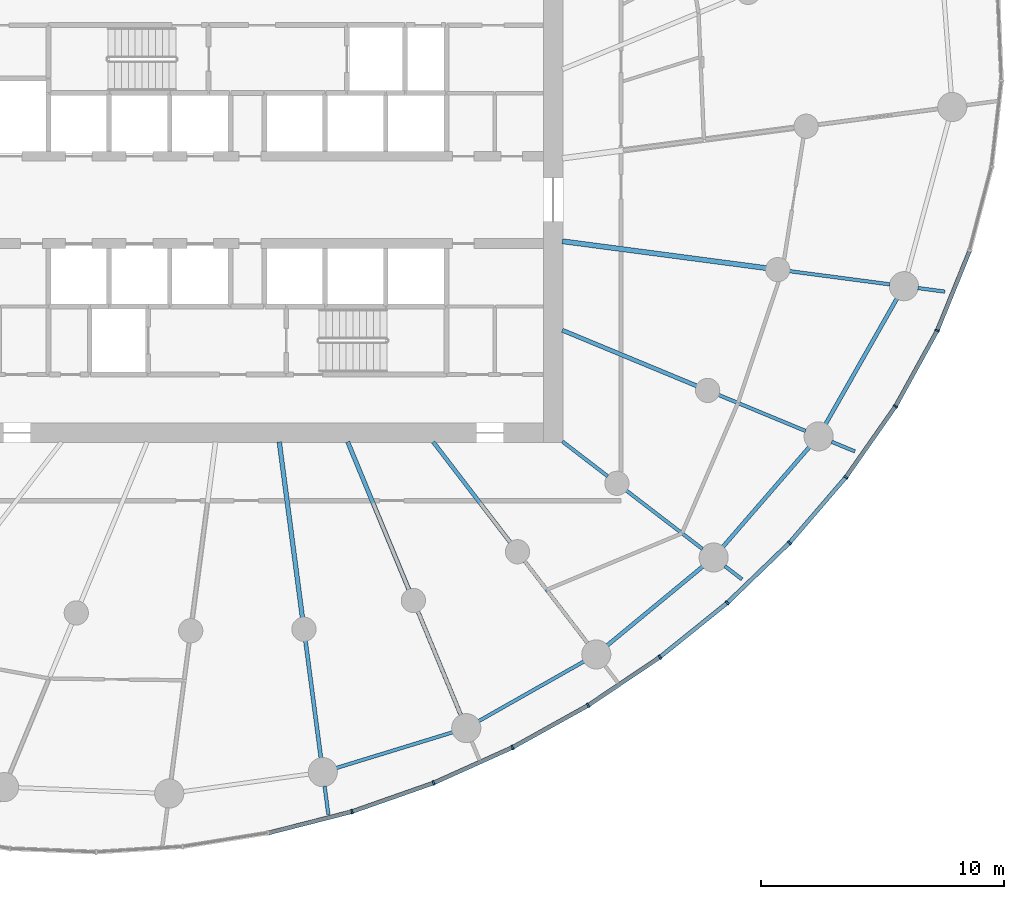
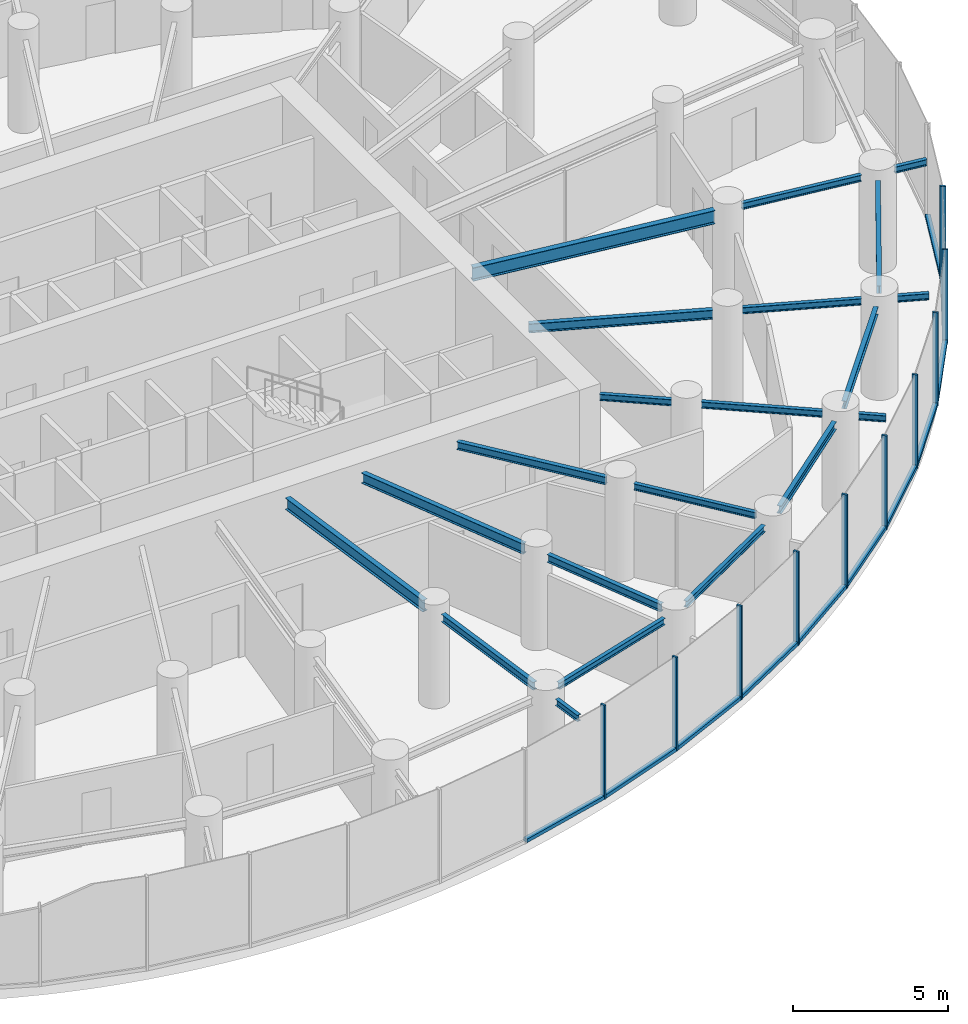
# One storey, part 4 of 17: 21 beams, 21 members, 3 elements without a shape of their own.
"""IFC4 building model written with IfcOpenShell, lengths in metres."""

from ifc_helpers import new_model, si_unit, direction, frame, origin, origin_2d, place, context, subcontext, project, spatial, rectangle, i_section, extrude, source, transform, mapped, material, layer, layer_set, material_profile, profile_set, type_object, element, aggregate, save


model = new_model("IFC4")

# Units and contexts
model_context = context("Model", 3, precision=1e-05, world=origin(), true_north=direction((0.0, 1.0)))
body_context = subcontext(model_context, "Body", "Model", "MODEL_VIEW")
ifc_project = project(units=[si_unit("LENGTHUNIT", "METRE"), si_unit("AREAUNIT", "SQUARE_METRE"), si_unit("VOLUMEUNIT", "CUBIC_METRE"), si_unit("PLANEANGLEUNIT", "RADIAN"), si_unit("MASSUNIT", "GRAM", prefix="KILO")], contexts=[model_context])

# Site, building, storey
site_placement = place(None, origin())
site = spatial("IfcSite", under=ifc_project, at=site_placement, CompositionType="ELEMENT")
building_placement = place(site_placement, origin())
building = spatial("IfcBuilding", under=site, at=building_placement, Name="Spindrift Exchange Tower", CompositionType="ELEMENT")
storey_placement = place(building_placement, frame((0.0, 0.0, 112.60009765625)))
storey = spatial("IfcBuildingStorey", under=building, at=storey_placement, Name="L26", CompositionType="ELEMENT", Elevation=112.60009765625)

# Beams
ifc_material_1 = material(Name="Steel Grade 300", Category="steel")
ifc_material_profile_1 = material_profile(ifc_material_1, i_section(OverallWidth=0.18994140625, OverallDepth=0.45703125, WebThickness=0.009033203125, FlangeThickness=0.014404296875, FilletRadius=0.013916015625, at=origin_2d()), Name="460UB74.6")
ifc_profile_set_1 = profile_set([ifc_material_profile_1], Name="Steel Grade 300")
beam_type_1 = type_object("IfcBeamType", Name="Floor Beam 460UB74.6 Steel Grade 300", PredefinedType="BEAM", material=ifc_profile_set_1)
shared_shape_1 = source(origin(), body_context, "Body", "SweptSolid", [
    extrude(i_section(OverallWidth=0.18994140625, OverallDepth=0.45703125, WebThickness=0.009033203125, FlangeThickness=0.014404296875, FilletRadius=0.013916015625, at=origin_2d()), origin(), (0.0, 0.0, 1.0), 7.3095703125),
])
beam_1_placement = place(storey_placement, frame((53.31396484375, 38.019775390625, 3.471435546875), z_axis=(0.130527087244, -0.991444743541, 0.0), x_axis=(0.991444743541, 0.130527087244, 0.0)))
element("IfcBeam", 1, at=beam_1_placement, inside=storey, type_object=beam_type_1, Name="L26 radial beam R19A", PredefinedType="BEAM", context=body_context, shape_type="MappedRepresentation", body=[
    mapped(shared_shape_1, transform((0.0, 0.0, 0.0), scale=1.0)),
])
ifc_material_profile_2 = material_profile(ifc_material_1, i_section(OverallWidth=0.177978515625, OverallDepth=0.406005859375, WebThickness=0.0078125, FlangeThickness=0.0126953125, FilletRadius=0.013916015625, at=origin_2d()), Name="410UB59.7")
ifc_profile_set_2 = profile_set([ifc_material_profile_2], Name="Steel Grade 300")
beam_type_2 = type_object("IfcBeamType", Name="Floor Beam 410UB59.7 Steel Grade 300", PredefinedType="BEAM", material=ifc_profile_set_2)
shared_shape_2 = source(origin(), body_context, "Body", "SweptSolid", [
    extrude(i_section(OverallWidth=0.177978515625, OverallDepth=0.406005859375, WebThickness=0.0078125, FlangeThickness=0.0126953125, FilletRadius=0.013916015625, at=origin_2d()), origin(), (0.0, 0.0, 1.0), 6.594482421875),
])
beam_2_placement = place(storey_placement, frame((56.134521484375, 38.0185546875, 3.496826171875), z_axis=(0.382692929746, -0.92387559851, 0.0), x_axis=(0.92387559851, 0.382692929746, 0.0)))
element("IfcBeam", 2, at=beam_2_placement, inside=storey, type_object=beam_type_2, Name="L26 radial beam R20A", PredefinedType="BEAM", context=body_context, shape_type="MappedRepresentation", body=[
    mapped(shared_shape_2, transform((0.0, 0.0, 0.0), scale=1.0)),
])
ifc_material_profile_3 = material_profile(ifc_material_1, i_section(OverallWidth=0.1650390625, OverallDepth=0.303955078125, WebThickness=0.006103515625, FlangeThickness=0.01025390625, FilletRadius=0.011474609375, at=origin_2d()), Name="310UB40.4")
ifc_profile_set_3 = profile_set([ifc_material_profile_3], Name="Steel Grade 300")
beam_type_3 = type_object("IfcBeamType", Name="Floor Beam 310UB40.4 Steel Grade 300", PredefinedType="BEAM", material=ifc_profile_set_3)
shared_shape_3 = source(origin(), body_context, "Body", "SweptSolid", [
    extrude(i_section(OverallWidth=0.1650390625, OverallDepth=0.303955078125, WebThickness=0.006103515625, FlangeThickness=0.01025390625, FilletRadius=0.011474609375, at=origin_2d()), origin(), (0.0, 0.0, 1.0), 5.224609375),
])
beam_3_placement = place(storey_placement, frame((59.6611328125, 38.015869140625, 3.5478515625), z_axis=(0.608741499316, -0.793368632485, 0.0), x_axis=(0.793368632485, 0.608741499316, 0.0)))
element("IfcBeam", 3, at=beam_3_placement, inside=storey, type_object=beam_type_3, Name="L26 radial beam R21A", PredefinedType="BEAM", context=body_context, shape_type="MappedRepresentation", body=[
    mapped(shared_shape_3, transform((0.0, 0.0, 0.0), scale=1.0)),
])
ifc_material_profile_4 = material_profile(ifc_material_1, i_section(OverallWidth=0.14599609375, OverallDepth=0.251953125, WebThickness=0.006103515625, FlangeThickness=0.008544921875, FilletRadius=0.011962890625, at=origin_2d()), Name="250UB31.4")
ifc_profile_set_4 = profile_set([ifc_material_profile_4], Name="Steel Grade 300")
beam_type_4 = type_object("IfcBeamType", Name="Floor Beam 250UB31.4 Steel Grade 300", PredefinedType="BEAM", material=ifc_profile_set_4)
shared_shape_4 = source(origin(), body_context, "Body", "SweptSolid", [
    extrude(i_section(OverallWidth=0.14599609375, OverallDepth=0.251953125, WebThickness=0.006103515625, FlangeThickness=0.008544921875, FilletRadius=0.011962890625, at=origin_2d()), origin(), (0.0, 0.0, 1.0), 2.353759765625),
])
beam_4_placement = place(storey_placement, frame((64.984130859375, 38.036865234375, 3.573974609375), z_axis=(0.793367573265, -0.608742879787, 0.0), x_axis=(0.608742879787, 0.793367573265, 0.0)))
element("IfcBeam", 4, at=beam_4_placement, inside=storey, type_object=beam_type_4, Name="L26 radial beam R22A", PredefinedType="BEAM", context=body_context, shape_type="MappedRepresentation", body=[
    mapped(shared_shape_4, transform((0.0, 0.0, 0.0), scale=1.0)),
])
ifc_material_profile_5 = material_profile(ifc_material_1, i_section(OverallWidth=0.172119140625, OverallDepth=0.35888671875, WebThickness=0.008056640625, FlangeThickness=0.012939453125, FilletRadius=0.013916015625, at=origin_2d()), Name="360UB56.7")
ifc_profile_set_5 = profile_set([ifc_material_profile_5], Name="Steel Grade 300")
beam_type_5 = type_object("IfcBeamType", Name="Floor Beam 360UB56.7 Steel Grade 300", PredefinedType="BEAM", material=ifc_profile_set_5)
shared_shape_5 = source(origin(), body_context, "Body", "SweptSolid", [
    extrude(i_section(OverallWidth=0.172119140625, OverallDepth=0.35888671875, WebThickness=0.008056640625, FlangeThickness=0.012939453125, FilletRadius=0.013916015625, at=origin_2d()), origin(), (0.0, 0.0, 1.0), 6.004638671875),
])
beam_5_placement = place(storey_placement, frame((64.9814453125, 42.622802734375, 3.5205078125), z_axis=(0.923882044911, -0.38267736684, 0.0), x_axis=(0.38267736684, 0.923882044911, 0.0)))
element("IfcBeam", 5, at=beam_5_placement, inside=storey, type_object=beam_type_5, Name="L26 radial beam R23A", PredefinedType="BEAM", context=body_context, shape_type="MappedRepresentation", body=[
    mapped(shared_shape_5, transform((0.0, 0.0, 0.0), scale=1.0)),
])
ifc_material_profile_6 = material_profile(ifc_material_1, i_section(OverallWidth=0.208984375, OverallDepth=0.532958984375, WebThickness=0.01025390625, FlangeThickness=0.015625, FilletRadius=0.013916015625, at=origin_2d()), Name="530UB92.4")
ifc_profile_set_6 = profile_set([ifc_material_profile_6], Name="Steel Grade 300")
beam_type_6 = type_object("IfcBeamType", Name="Floor Beam 530UB92.4 Steel Grade 300", PredefinedType="BEAM", material=ifc_profile_set_6)
shared_shape_6 = source(origin(), body_context, "Body", "SweptSolid", [
    extrude(i_section(OverallWidth=0.208984375, OverallDepth=0.532958984375, WebThickness=0.01025390625, FlangeThickness=0.015625, FilletRadius=0.013916015625, at=origin_2d()), origin(), (0.0, 0.0, 1.0), 8.4794921875),
])
beam_6_placement = place(storey_placement, frame((64.980224609375, 46.291015625, 3.433349609375), z_axis=(0.991446551951, -0.13051335037, 0.0), x_axis=(0.13051335037, 0.991446551951, 0.0)))
element("IfcBeam", 6, at=beam_6_placement, inside=storey, type_object=beam_type_6, Name="L26 radial beam R24A", PredefinedType="BEAM", context=body_context, shape_type="MappedRepresentation", body=[
    mapped(shared_shape_6, transform((0.0, 0.0, 0.0), scale=1.0)),
])
shared_shape_7 = source(origin(), body_context, "Body", "SweptSolid", [
    extrude(i_section(OverallWidth=0.1650390625, OverallDepth=0.303955078125, WebThickness=0.006103515625, FlangeThickness=0.01025390625, FilletRadius=0.011474609375, at=origin_2d()), origin(), (0.0, 0.0, 1.0), 4.883056640625),
])
beam_7_placement = place(storey_placement, frame((54.393310546875, 29.82080078125, 3.5478515625), z_axis=(0.130542457964, -0.991442719812, 0.0), x_axis=(0.991442719812, 0.130542457964, 0.0)))
element("IfcBeam", 7, at=beam_7_placement, inside=storey, type_object=beam_type_3, Name="L26 radial beam R19B", PredefinedType="BEAM", context=body_context, shape_type="MappedRepresentation", body=[
    mapped(shared_shape_7, transform((0.0, 0.0, 0.0), scale=1.0)),
])
shared_shape_8 = source(origin(), body_context, "Body", "SweptSolid", [
    extrude(i_section(OverallWidth=0.1650390625, OverallDepth=0.303955078125, WebThickness=0.006103515625, FlangeThickness=0.01025390625, FilletRadius=0.011474609375, at=origin_2d()), origin(), (0.0, 0.0, 1.0), 4.63671875),
])
beam_8_placement = place(storey_placement, frame((59.025390625, 31.0390625, 3.5478515625), z_axis=(0.382692818086, -0.923875644763, 0.0), x_axis=(0.923875644763, 0.382692818086, 0.0)))
element("IfcBeam", 8, at=beam_8_placement, inside=storey, type_object=beam_type_3, Name="L26 radial beam R20B", PredefinedType="BEAM", context=body_context, shape_type="MappedRepresentation", body=[
    mapped(shared_shape_8, transform((0.0, 0.0, 0.0), scale=1.0)),
])
shared_shape_9 = source(origin(), body_context, "Body", "SweptSolid", [
    extrude(i_section(OverallWidth=0.14599609375, OverallDepth=0.251953125, WebThickness=0.006103515625, FlangeThickness=0.008544921875, FilletRadius=0.011962890625, at=origin_2d()), origin(), (0.0, 0.0, 1.0), 4.27587890625),
])
beam_9_placement = place(storey_placement, frame((63.426025390625, 33.109375, 3.573974609375), z_axis=(0.608725184746, -0.793381150177, 0.0), x_axis=(0.793381150177, 0.608725184746, 0.0)))
element("IfcBeam", 9, at=beam_9_placement, inside=storey, type_object=beam_type_4, Name="L26 radial beam R21B", PredefinedType="BEAM", context=body_context, shape_type="MappedRepresentation", body=[
    mapped(shared_shape_9, transform((0.0, 0.0, 0.0), scale=1.0)),
])
shared_shape_10 = source(origin(), body_context, "Body", "SweptSolid", [
    extrude(i_section(OverallWidth=0.14599609375, OverallDepth=0.251953125, WebThickness=0.006103515625, FlangeThickness=0.008544921875, FilletRadius=0.011962890625, at=origin_2d()), origin(), (0.0, 0.0, 1.0), 3.966064453125),
])
beam_10_placement = place(storey_placement, frame((67.61328125, 36.01953125, 3.573974609375), z_axis=(0.79336256318, -0.608749409318, 0.0), x_axis=(0.608749409318, 0.79336256318, 0.0)))
element("IfcBeam", 10, at=beam_10_placement, inside=storey, type_object=beam_type_4, Name="L26 radial beam R22B", PredefinedType="BEAM", context=body_context, shape_type="MappedRepresentation", body=[
    mapped(shared_shape_10, transform((0.0, 0.0, 0.0), scale=1.0)),
])
shared_shape_11 = source(origin(), body_context, "Body", "SweptSolid", [
    extrude(i_section(OverallWidth=0.14599609375, OverallDepth=0.251953125, WebThickness=0.006103515625, FlangeThickness=0.008544921875, FilletRadius=0.011962890625, at=origin_2d()), origin(), (0.0, 0.0, 1.0), 3.892333984375),
])
beam_11_placement = place(storey_placement, frame((71.416015625, 39.95751953125, 3.573974609375), z_axis=(0.923878458273, -0.382686025794, 0.0), x_axis=(0.382686025794, 0.923878458273, 0.0)))
element("IfcBeam", 11, at=beam_11_placement, inside=storey, type_object=beam_type_4, Name="L26 radial beam R23B", PredefinedType="BEAM", context=body_context, shape_type="MappedRepresentation", body=[
    mapped(shared_shape_11, transform((0.0, 0.0, 0.0), scale=1.0)),
])
shared_shape_12 = source(origin(), body_context, "Body", "SweptSolid", [
    extrude(i_section(OverallWidth=0.14599609375, OverallDepth=0.251953125, WebThickness=0.006103515625, FlangeThickness=0.008544921875, FilletRadius=0.011962890625, at=origin_2d()), origin(), (0.0, 0.0, 1.0), 4.186279296875),
])
beam_12_placement = place(storey_placement, frame((74.339111328125, 45.05908203125, 3.573974609375), z_axis=(0.991445559167, -0.130520891848, 0.0), x_axis=(0.130520891848, 0.991445559167, 0.0)))
element("IfcBeam", 12, at=beam_12_placement, inside=storey, type_object=beam_type_4, Name="L26 radial beam R24B", PredefinedType="BEAM", context=body_context, shape_type="MappedRepresentation", body=[
    mapped(shared_shape_12, transform((0.0, 0.0, 0.0), scale=1.0)),
])
ifc_material_profile_7 = material_profile(ifc_material_1, i_section(OverallWidth=0.14599609375, OverallDepth=0.251953125, WebThickness=0.006103515625, FlangeThickness=0.008544921875, FilletRadius=0.011962890625, at=origin_2d()), Name="250UB31.4")
ifc_profile_set_7 = profile_set([ifc_material_profile_7], Name="Steel Grade 300")
beam_type_7 = type_object("IfcBeamType", Name="Edge Beam 250UB31.4 Steel Grade 300", PredefinedType="SPANDREL", material=ifc_profile_set_7)
shared_shape_13 = source(origin(), body_context, "Body", "SweptSolid", [
    extrude(i_section(OverallWidth=0.14599609375, OverallDepth=0.251953125, WebThickness=0.006103515625, FlangeThickness=0.008544921875, FilletRadius=0.011962890625, at=origin_2d()), origin(), (0.0, 0.0, 1.0), 5.027587890625),
])
beam_13_placement = place(storey_placement, frame((55.660888671875, 24.57470703125, 3.573974609375), z_axis=(0.956018084082, 0.293307727325, 0.0), x_axis=(-0.293307727325, 0.956018084082, 0.0)))
element("IfcBeam", 13, at=beam_13_placement, inside=storey, type_object=beam_type_7, Name="L26 edge beam E19", PredefinedType="SPANDREL", context=body_context, shape_type="MappedRepresentation", body=[
    mapped(shared_shape_13, transform((0.0, 0.0, 0.0), scale=1.0)),
])
shared_shape_14 = source(origin(), body_context, "Body", "SweptSolid", [
    extrude(i_section(OverallWidth=0.14599609375, OverallDepth=0.251953125, WebThickness=0.006103515625, FlangeThickness=0.008544921875, FilletRadius=0.011962890625, at=origin_2d()), origin(), (0.0, 0.0, 1.0), 5.0009765625),
])
beam_14_placement = place(storey_placement, frame((61.5263671875, 26.505615234375, 3.573974609375), z_axis=(0.870045916697, 0.492970691663, 0.0), x_axis=(-0.492970691663, 0.870045916697, 0.0)))
element("IfcBeam", 14, at=beam_14_placement, inside=storey, type_object=beam_type_7, Name="L26 edge beam E20", PredefinedType="SPANDREL", context=body_context, shape_type="MappedRepresentation", body=[
    mapped(shared_shape_14, transform((0.0, 0.0, 0.0), scale=1.0)),
])
ifc_material_profile_8 = material_profile(ifc_material_1, i_section(OverallWidth=0.1650390625, OverallDepth=0.303955078125, WebThickness=0.006103515625, FlangeThickness=0.01025390625, FilletRadius=0.011474609375, at=origin_2d()), Name="310UB40.4")
ifc_profile_set_8 = profile_set([ifc_material_profile_8], Name="Steel Grade 300")
beam_type_8 = type_object("IfcBeamType", Name="Edge Beam 310UB40.4 Steel Grade 300", PredefinedType="SPANDREL", material=ifc_profile_set_8)
shared_shape_15 = source(origin(), body_context, "Body", "SweptSolid", [
    extrude(i_section(OverallWidth=0.1650390625, OverallDepth=0.303955078125, WebThickness=0.006103515625, FlangeThickness=0.01025390625, FilletRadius=0.011474609375, at=origin_2d()), origin(), (0.0, 0.0, 1.0), 5.114501953125),
])
beam_15_placement = place(storey_placement, frame((66.8291015625, 29.626220703125, 3.5478515625), z_axis=(0.771073837992, 0.63674573918, 0.0), x_axis=(-0.63674573918, 0.771073837992, 0.0)))
element("IfcBeam", 15, at=beam_15_placement, inside=storey, type_object=beam_type_8, Name="L26 edge beam E21", PredefinedType="SPANDREL", context=body_context, shape_type="MappedRepresentation", body=[
    mapped(shared_shape_15, transform((0.0, 0.0, 0.0), scale=1.0)),
])
shared_shape_16 = source(origin(), body_context, "Body", "SweptSolid", [
    extrude(i_section(OverallWidth=0.1650390625, OverallDepth=0.303955078125, WebThickness=0.006103515625, FlangeThickness=0.01025390625, FilletRadius=0.011474609375, at=origin_2d()), origin(), (0.0, 0.0, 1.0), 5.448486328125),
])
beam_16_placement = place(storey_placement, frame((71.599609375, 33.6904296875, 3.5478515625), z_axis=(0.654922008827, 0.755696475018, 0.0), x_axis=(-0.755696475018, 0.654922008827, 0.0)))
element("IfcBeam", 16, at=beam_16_placement, inside=storey, type_object=beam_type_8, Name="L26 edge beam E22", PredefinedType="SPANDREL", context=body_context, shape_type="MappedRepresentation", body=[
    mapped(shared_shape_16, transform((0.0, 0.0, 0.0), scale=1.0)),
])
shared_shape_17 = source(origin(), body_context, "Body", "SweptSolid", [
    extrude(i_section(OverallWidth=0.1650390625, OverallDepth=0.303955078125, WebThickness=0.006103515625, FlangeThickness=0.01025390625, FilletRadius=0.011474609375, at=origin_2d()), origin(), (0.0, 0.0, 1.0), 5.9599609375),
])
beam_17_placement = place(storey_placement, frame((75.834228515625, 38.75048828125, 3.5478515625), z_axis=(0.493940434745, 0.869495742901, 0.0), x_axis=(-0.869495742901, 0.493940434745, 0.0)))
element("IfcBeam", 17, at=beam_17_placement, inside=storey, type_object=beam_type_8, Name="L26 edge beam E23", PredefinedType="SPANDREL", context=body_context, shape_type="MappedRepresentation", body=[
    mapped(shared_shape_17, transform((0.0, 0.0, 0.0), scale=1.0)),
])
ifc_material_profile_9 = material_profile(ifc_material_1, i_section(OverallWidth=0.14599609375, OverallDepth=0.251953125, WebThickness=0.006103515625, FlangeThickness=0.008544921875, FilletRadius=0.011962890625, at=origin_2d()), Name="250UB31.4")
ifc_profile_set_9 = profile_set([ifc_material_profile_9], Name="Steel Grade 300")
beam_type_9 = type_object("IfcBeamType", Name="Cantilever Beam 250UB31.4 Steel Grade 300", PredefinedType="BEAM", material=ifc_profile_set_9)
shared_shape_18 = source(origin(), body_context, "Body", "SweptSolid", [
    extrude(i_section(OverallWidth=0.14599609375, OverallDepth=0.251953125, WebThickness=0.006103515625, FlangeThickness=0.008544921875, FilletRadius=0.011962890625, at=origin_2d()), origin(), (0.0, 0.0, 1.0), 1.180908203125),
])
beam_18_placement = place(storey_placement, frame((55.18212890625, 23.82958984375, 3.573974609375), z_axis=(0.130443817437, -0.991455702738, 0.0), x_axis=(0.991455702738, 0.130443817437, 0.0)))
element("IfcBeam", 18, at=beam_18_placement, inside=storey, type_object=beam_type_9, Name="L26 cantilever beam R19T", PredefinedType="BEAM", context=body_context, shape_type="MappedRepresentation", body=[
    mapped(shared_shape_18, transform((0.0, 0.0, 0.0), scale=1.0)),
])
shared_shape_19 = source(origin(), body_context, "Body", "SweptSolid", [
    extrude(i_section(OverallWidth=0.14599609375, OverallDepth=0.251953125, WebThickness=0.006103515625, FlangeThickness=0.008544921875, FilletRadius=0.011962890625, at=origin_2d()), origin(), (0.0, 0.0, 1.0), 0.896484375),
])
beam_19_placement = place(storey_placement, frame((71.679931640625, 32.89892578125, 3.573974609375), z_axis=(0.793483628904, -0.608591595951, 0.0), x_axis=(0.608591595951, 0.793483628904, 0.0)))
element("IfcBeam", 19, at=beam_19_placement, inside=storey, type_object=beam_type_9, Name="L26 cantilever beam R22T", PredefinedType="BEAM", context=body_context, shape_type="MappedRepresentation", body=[
    mapped(shared_shape_19, transform((0.0, 0.0, 0.0), scale=1.0)),
])
shared_shape_20 = source(origin(), body_context, "Body", "SweptSolid", [
    extrude(i_section(OverallWidth=0.14599609375, OverallDepth=0.251953125, WebThickness=0.006103515625, FlangeThickness=0.008544921875, FilletRadius=0.011962890625, at=origin_2d()), origin(), (0.0, 0.0, 1.0), 1.03564453125),
])
beam_20_placement = place(storey_placement, frame((76.08349609375, 38.024169921875, 3.573974609375), z_axis=(0.92390478154, -0.38262247013, 0.0), x_axis=(0.38262247013, 0.92390478154, 0.0)))
element("IfcBeam", 20, at=beam_20_placement, inside=storey, type_object=beam_type_9, Name="L26 cantilever beam R23T", PredefinedType="BEAM", context=body_context, shape_type="MappedRepresentation", body=[
    mapped(shared_shape_20, transform((0.0, 0.0, 0.0), scale=1.0)),
])
shared_shape_21 = source(origin(), body_context, "Body", "SweptSolid", [
    extrude(i_section(OverallWidth=0.14599609375, OverallDepth=0.251953125, WebThickness=0.006103515625, FlangeThickness=0.008544921875, FilletRadius=0.011962890625, at=origin_2d()), origin(), (0.0, 0.0, 1.0), 1.121337890625),
])
beam_21_placement = place(storey_placement, frame((79.639404296875, 44.361083984375, 3.573974609375), z_axis=(0.991460222686, -0.130409458364, 0.0), x_axis=(0.130409458364, 0.991460222686, 0.0)))
element("IfcBeam", 21, at=beam_21_placement, inside=storey, type_object=beam_type_9, Name="L26 cantilever beam R24T", PredefinedType="BEAM", context=body_context, shape_type="MappedRepresentation", body=[
    mapped(shared_shape_21, transform((0.0, 0.0, 0.0), scale=1.0)),
])

# Curtain wall, members
ifc_material_2 = material(Name="Fritted laminated glass with bronze frame", Category="glass")
ifc_layer = layer(ifc_material_2, 0.18994140625)
ifc_layer_set = layer_set([ifc_layer], Name="ZONE 2 BRONZE FRITTED WALL")
curtain_wall_type = type_object("IfcCurtainWallType", Name="ZONE 2 BRONZE FRITTED WALL", PredefinedType="NOTDEFINED", material=ifc_layer_set)
curtain_wall_1_placement = place(storey_placement, origin())
curtain_wall_1 = element("IfcCurtainWall", 22, at=curtain_wall_1_placement, inside=storey, type_object=curtain_wall_type, Name="L26 Zone 2 Bronze Fritted Wall run 7", PredefinedType="NOTDEFINED")
ifc_material_3 = material(Name="Bronze anodised aluminium", Category="aluminium")
ifc_material_profile_10 = material_profile(ifc_material_3, rectangle(XDim=0.074951171875, YDim=0.18994140625, at=origin_2d()), Name="ZONE 2 BRONZE FRITTED WALL MULLION 75X190")
ifc_profile_set_10 = profile_set([ifc_material_profile_10], Name="Bronze anodised aluminium")
member_type_1 = type_object("IfcMemberType", Name="ZONE 2 BRONZE FRITTED WALL MULLION 75X190", PredefinedType="MULLION", material=ifc_profile_set_10)
shared_shape_22 = source(origin(), body_context, "Body", "SweptSolid", [
    extrude(rectangle(XDim=0.074951171875, YDim=0.18994140625, at=origin_2d()), origin(), (0.0, 0.0, 1.0), 3.699951171875),
])
member_1_placement = place(storey_placement, frame((56.308837890625, 22.77734375, 0.0), z_axis=(0.0, 0.0, 1.0), x_axis=(0.957083661818, 0.289811773882, 0.0)))
member_1 = element("IfcMember", 23, at=member_1_placement, type_object=member_type_1, Name="L26 mullion CW-2.37", PredefinedType="MULLION", context=body_context, shape_type="MappedRepresentation", body=[
    mapped(shared_shape_22, transform((0.0, 0.0, 0.0), scale=1.0)),
])
member_2_placement = place(storey_placement, frame((59.674072265625, 23.959228515625, 0.0), z_axis=(0.0, 0.0, 1.0), x_axis=(0.928518467207, 0.37128621851, 0.0)))
member_2 = element("IfcMember", 24, at=member_2_placement, type_object=member_type_1, Name="L26 mullion CW-2.38", PredefinedType="MULLION", context=body_context, shape_type="MappedRepresentation", body=[
    mapped(shared_shape_22, transform((0.0, 0.0, 0.0), scale=1.0)),
])
member_3_placement = place(storey_placement, frame((62.92626953125, 25.423583984375, 0.0), z_axis=(0.0, 0.0, 1.0), x_axis=(0.893733035188, 0.448599221815, 0.0)))
member_3 = element("IfcMember", 25, at=member_3_placement, type_object=member_type_1, Name="L26 mullion CW-2.39", PredefinedType="MULLION", context=body_context, shape_type="MappedRepresentation", body=[
    mapped(shared_shape_22, transform((0.0, 0.0, 0.0), scale=1.0)),
])
member_4_placement = place(storey_placement, frame((66.043701171875, 27.156494140625, 0.0), z_axis=(0.0, 0.0, 1.0), x_axis=(0.852682906555, 0.522428809379, 0.0)))
member_4 = element("IfcMember", 26, at=member_4_placement, type_object=member_type_1, Name="L26 mullion CW-2.40", PredefinedType="MULLION", context=body_context, shape_type="MappedRepresentation", body=[
    mapped(shared_shape_22, transform((0.0, 0.0, 0.0), scale=1.0)),
])
member_5_placement = place(storey_placement, frame((69.00341796875, 29.146728515625, 0.0), z_axis=(0.0, 0.0, 1.0), x_axis=(0.804995129092, 0.593281419006, 0.0)))
member_5 = element("IfcMember", 27, at=member_5_placement, type_object=member_type_1, Name="L26 mullion CW-2.41", PredefinedType="MULLION", context=body_context, shape_type="MappedRepresentation", body=[
    mapped(shared_shape_22, transform((0.0, 0.0, 0.0), scale=1.0)),
])
member_6_placement = place(storey_placement, frame((71.780517578125, 31.384521484375, 0.0), z_axis=(0.0, 0.0, 1.0), x_axis=(0.74996633829, 0.6614759946, 0.0)))
member_6 = element("IfcMember", 28, at=member_6_placement, type_object=member_type_1, Name="L26 mullion CW-2.42", PredefinedType="MULLION", context=body_context, shape_type="MappedRepresentation", body=[
    mapped(shared_shape_22, transform((0.0, 0.0, 0.0), scale=1.0)),
])

curtain_wall_2_placement = place(storey_placement, origin())
curtain_wall_2 = element("IfcCurtainWall", 29, at=curtain_wall_2_placement, inside=storey, type_object=curtain_wall_type, Name="L26 Zone 2 Bronze Fritted Wall run 8", PredefinedType="NOTDEFINED")
member_7_placement = place(storey_placement, frame((74.34765625, 33.860595703125, 0.0), z_axis=(0.0, 0.0, 1.0), x_axis=(0.686542795619, 0.727089396005, 0.0)))
member_7 = element("IfcMember", 30, at=member_7_placement, type_object=member_type_1, Name="L26 mullion CW-2.43", PredefinedType="MULLION", context=body_context, shape_type="MappedRepresentation", body=[
    mapped(shared_shape_22, transform((0.0, 0.0, 0.0), scale=1.0)),
])
member_8_placement = place(storey_placement, frame((76.67236328125, 36.565185546875, 0.0), z_axis=(0.0, 0.0, 1.0), x_axis=(0.613322627436, 0.789832485198, 0.0)))
member_8 = element("IfcMember", 31, at=member_8_placement, type_object=member_type_1, Name="L26 mullion CW-2.44", PredefinedType="MULLION", context=body_context, shape_type="MappedRepresentation", body=[
    mapped(shared_shape_22, transform((0.0, 0.0, 0.0), scale=1.0)),
])
member_9_placement = place(storey_placement, frame((78.716796875, 39.487060546875, 0.0), z_axis=(0.0, 0.0, 1.0), x_axis=(0.528546172993, 0.848904554714, 0.0)))
member_9 = element("IfcMember", 32, at=member_9_placement, type_object=member_type_1, Name="L26 mullion CW-2.45", PredefinedType="MULLION", context=body_context, shape_type="MappedRepresentation", body=[
    mapped(shared_shape_22, transform((0.0, 0.0, 0.0), scale=1.0)),
])
member_10_placement = place(storey_placement, frame((80.4365234375, 42.61083984375, 0.0), z_axis=(0.0, 0.0, 1.0), x_axis=(0.430201743341, 0.90273277332, 0.0)))
member_10 = element("IfcMember", 33, at=member_10_placement, type_object=member_type_1, Name="L26 mullion CW-2.46", PredefinedType="MULLION", context=body_context, shape_type="MappedRepresentation", body=[
    mapped(shared_shape_22, transform((0.0, 0.0, 0.0), scale=1.0)),
])

# Member
ifc_material_profile_11 = material_profile(ifc_material_3, rectangle(XDim=0.169921875, YDim=0.139892578125, at=origin_2d()), Name="ZONE 2 BRONZE FRITTED WALL TRANSOM 170X140")
ifc_profile_set_11 = profile_set([ifc_material_profile_11], Name="Bronze anodised aluminium")
member_type_2 = type_object("IfcMemberType", Name="ZONE 2 BRONZE FRITTED WALL TRANSOM 170X140", PredefinedType="USERDEFINED", material=ifc_profile_set_11)
shared_shape_23 = source(origin(), body_context, "Body", "SweptSolid", [
    extrude(rectangle(XDim=0.169921875, YDim=0.139892578125, at=origin_2d()), origin(), (0.0, 0.0, 1.0), 3.49169921875),
])
member_11_placement = place(storey_placement, frame((56.34423828125, 22.789794921875, 0.06982421875), z_axis=(0.943506819709, 0.331353106462, 0.0), x_axis=(-0.331353106462, 0.943506819709, 0.0)))
member_11 = element("IfcMember", 34, at=member_11_placement, type_object=member_type_2, Name="L26 transom CW-2.37", ObjectType="TRANSOM", PredefinedType="USERDEFINED", context=body_context, shape_type="MappedRepresentation", body=[
    mapped(shared_shape_23, transform((0.0, 0.0, 0.0), scale=1.0)),
])

member_12_placement = place(storey_placement, frame((59.708251953125, 23.974609375, 0.06982421875), z_axis=(0.911828594138, 0.410571083872, 0.0), x_axis=(-0.410571083872, 0.911828594138, 0.0)))
member_12 = element("IfcMember", 35, at=member_12_placement, type_object=member_type_2, Name="L26 transom CW-2.38", ObjectType="TRANSOM", PredefinedType="USERDEFINED", context=body_context, shape_type="MappedRepresentation", body=[
    mapped(shared_shape_23, transform((0.0, 0.0, 0.0), scale=1.0)),
])

member_13_placement = place(storey_placement, frame((66.07470703125, 27.177490234375, 0.06982421875), z_axis=(0.829816890365, 0.558035777048, 0.0), x_axis=(-0.558035777048, 0.829816890365, 0.0)))
member_13 = element("IfcMember", 36, at=member_13_placement, type_object=member_type_2, Name="L26 transom CW-2.40", ObjectType="TRANSOM", PredefinedType="USERDEFINED", context=body_context, shape_type="MappedRepresentation", body=[
    mapped(shared_shape_23, transform((0.0, 0.0, 0.0), scale=1.0)),
])

member_14_placement = place(storey_placement, frame((69.032470703125, 29.17041015625, 0.06982421875), z_axis=(0.77870171978, 0.627394319079, 0.0), x_axis=(-0.627394319079, 0.77870171978, 0.0)))
member_14 = element("IfcMember", 37, at=member_14_placement, type_object=member_type_2, Name="L26 transom CW-2.41", ObjectType="TRANSOM", PredefinedType="USERDEFINED", context=body_context, shape_type="MappedRepresentation", body=[
    mapped(shared_shape_23, transform((0.0, 0.0, 0.0), scale=1.0)),
])

member_15_placement = place(storey_placement, frame((74.3720703125, 33.888916015625, 0.06982421875), z_axis=(0.651815759223, 0.758377357276, 0.0), x_axis=(-0.758377357276, 0.651815759223, 0.0)))
member_15 = element("IfcMember", 38, at=member_15_placement, type_object=member_type_2, Name="L26 transom CW-2.43", ObjectType="TRANSOM", PredefinedType="USERDEFINED", context=body_context, shape_type="MappedRepresentation", body=[
    mapped(shared_shape_23, transform((0.0, 0.0, 0.0), scale=1.0)),
])

shared_shape_24 = source(origin(), body_context, "Body", "SweptSolid", [
    extrude(rectangle(XDim=0.169921875, YDim=0.139892578125, at=origin_2d()), origin(), (0.0, 0.0, 1.0), 3.490478515625),
])
member_16_placement = place(storey_placement, frame((80.45068359375, 42.645751953125, 0.06982421875), z_axis=(0.376654700035, 0.926353732082, 0.0), x_axis=(-0.926353732082, 0.376654700035, 0.0)))
member_16 = element("IfcMember", 39, at=member_16_placement, type_object=member_type_2, Name="L26 transom CW-2.46", ObjectType="TRANSOM", PredefinedType="USERDEFINED", context=body_context, shape_type="MappedRepresentation", body=[
    mapped(shared_shape_24, transform((0.0, 0.0, 0.0), scale=1.0)),
])

# Curtain wall, member
curtain_wall_3_placement = place(storey_placement, origin())
curtain_wall_3 = element("IfcCurtainWall", 40, at=curtain_wall_3_placement, inside=storey, type_object=curtain_wall_type, Name="L26 Zone 2 Bronze Fritted Wall run 6", PredefinedType="NOTDEFINED")
shared_shape_25 = source(origin(), body_context, "Body", "SweptSolid", [
    extrude(rectangle(XDim=0.169921875, YDim=0.139892578125, at=origin_2d()), origin(), (0.0, 0.0, 1.0), 3.491455078125),
])
member_17_placement = place(storey_placement, frame((52.889892578125, 21.9033203125, 0.06982421875), z_axis=(0.968841347881, 0.247682140324, 0.0), x_axis=(-0.247682140324, 0.968841347881, 0.0)))
member_17 = element("IfcMember", 41, at=member_17_placement, type_object=member_type_2, Name="L26 transom CW-2.36", ObjectType="TRANSOM", PredefinedType="USERDEFINED", context=body_context, shape_type="MappedRepresentation", body=[
    mapped(shared_shape_25, transform((0.0, 0.0, 0.0), scale=1.0)),
])
aggregate(curtain_wall_3, [member_17])

# Member
member_18_placement = place(storey_placement, frame((71.8076171875, 31.41064453125, 0.06982421875), z_axis=(0.719753195316, 0.694230032361, 0.0), x_axis=(-0.694230032361, 0.719753195316, 0.0)))
member_18 = element("IfcMember", 42, at=member_18_placement, type_object=member_type_2, Name="L26 transom CW-2.42", ObjectType="TRANSOM", PredefinedType="USERDEFINED", context=body_context, shape_type="MappedRepresentation", body=[
    mapped(shared_shape_25, transform((0.0, 0.0, 0.0), scale=1.0)),
])

shared_shape_26 = source(origin(), body_context, "Body", "SweptSolid", [
    extrude(rectangle(XDim=0.169921875, YDim=0.139892578125, at=origin_2d()), origin(), (0.0, 0.0, 1.0), 3.490966796875),
])
member_19_placement = place(storey_placement, frame((76.69384765625, 36.595947265625, 0.06982421875), z_axis=(0.573312142679, 0.819337041184, 0.0), x_axis=(-0.819337041184, 0.573312142679, 0.0)))
member_19 = element("IfcMember", 43, at=member_19_placement, type_object=member_type_2, Name="L26 transom CW-2.44", ObjectType="TRANSOM", PredefinedType="USERDEFINED", context=body_context, shape_type="MappedRepresentation", body=[
    mapped(shared_shape_26, transform((0.0, 0.0, 0.0), scale=1.0)),
])

member_20_placement = place(storey_placement, frame((78.73486328125, 39.52001953125, 0.06982421875), z_axis=(0.482278456568, 0.876017973749, 0.0), x_axis=(-0.876017973749, 0.482278456568, 0.0)))
member_20 = element("IfcMember", 44, at=member_20_placement, type_object=member_type_2, Name="L26 transom CW-2.45", ObjectType="TRANSOM", PredefinedType="USERDEFINED", context=body_context, shape_type="MappedRepresentation", body=[
    mapped(shared_shape_26, transform((0.0, 0.0, 0.0), scale=1.0)),
])

aggregate(curtain_wall_2, [member_7, member_15, member_8, member_19, member_9, member_20, member_10, member_16])

shared_shape_27 = source(origin(), body_context, "Body", "SweptSolid", [
    extrude(rectangle(XDim=0.169921875, YDim=0.139892578125, at=origin_2d()), origin(), (0.0, 0.0, 1.0), 3.491943359375),
])
member_21_placement = place(storey_placement, frame((62.958984375, 25.441650390625, 0.06982421875), z_axis=(0.874038522188, 0.485856626724, 0.0), x_axis=(-0.485856626724, 0.874038522188, 0.0)))
member_21 = element("IfcMember", 45, at=member_21_placement, type_object=member_type_2, Name="L26 transom CW-2.39", ObjectType="TRANSOM", PredefinedType="USERDEFINED", context=body_context, shape_type="MappedRepresentation", body=[
    mapped(shared_shape_27, transform((0.0, 0.0, 0.0), scale=1.0)),
])

aggregate(curtain_wall_1, [member_1, member_11, member_2, member_12, member_3, member_21, member_4, member_13, member_5, member_14, member_6, member_18])

save(model, "model.ifc")
